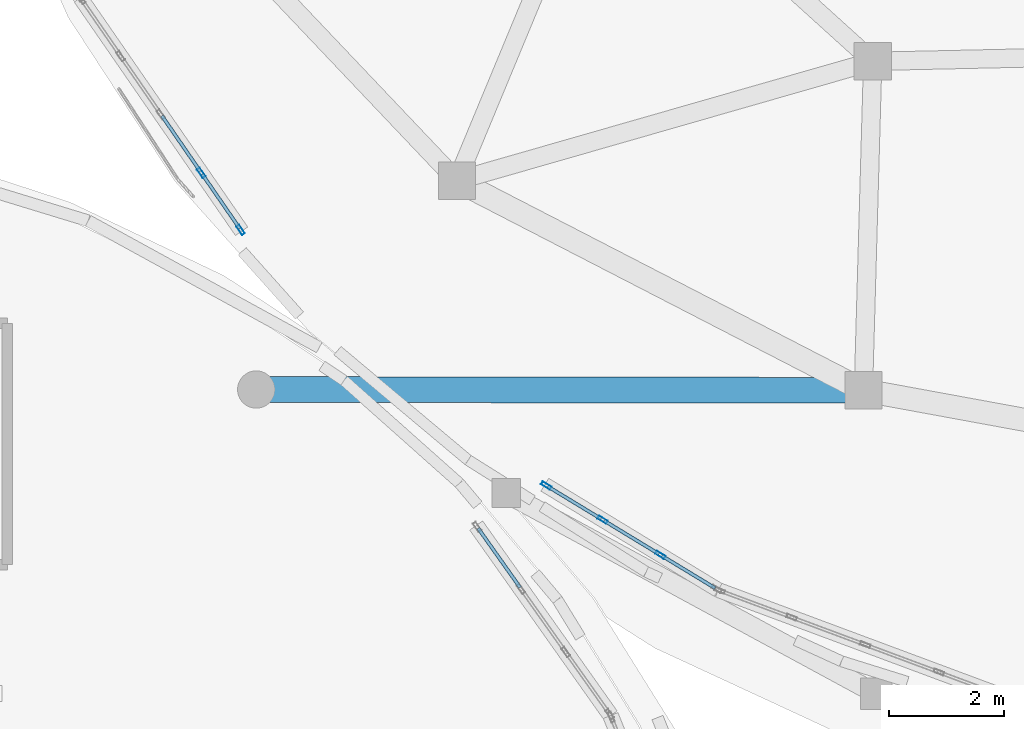
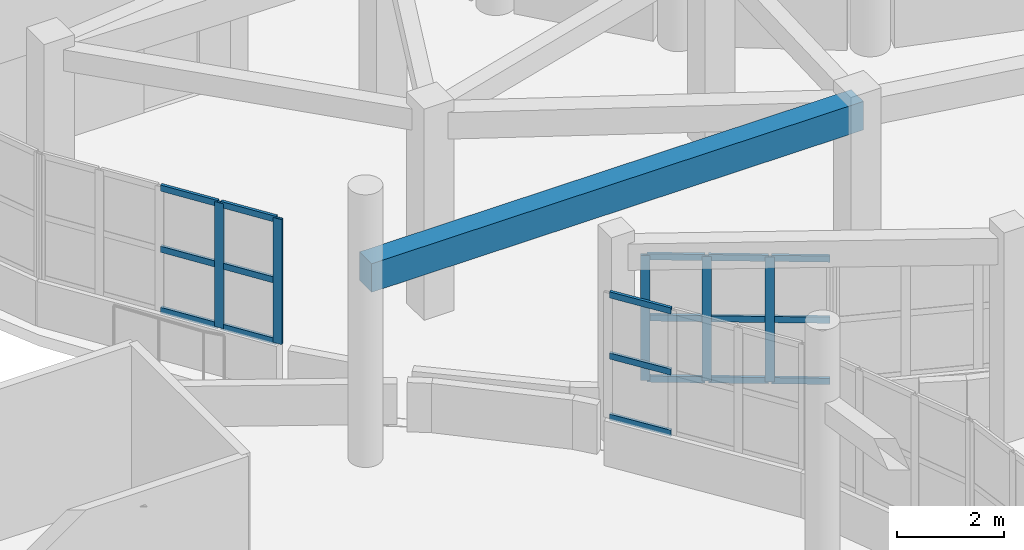
# One storey, part 45 of 105: 23 members, 1 beam, 3 elements without a shape of their own.
"""IFC4 building model written with IfcOpenShell, lengths in metres."""

from ifc_helpers import new_model, si_unit, direction, frame, origin, origin_2d, place, context, subcontext, project, spatial, rectangle, hollow_rectangle, extrude, material, layer, layer_set, material_profile, profile_set, type_object, element, aggregate, save


model = new_model("IFC4")

# Units and contexts
model_context = context("Model", 3, precision=1e-05, world=origin(), true_north=direction((0.0, 1.0)))
body_context = subcontext(model_context, "Body", "Model", "MODEL_VIEW")
ifc_project = project(units=[si_unit("LENGTHUNIT", "METRE"), si_unit("AREAUNIT", "SQUARE_METRE"), si_unit("VOLUMEUNIT", "CUBIC_METRE"), si_unit("PLANEANGLEUNIT", "RADIAN"), si_unit("MASSUNIT", "GRAM", prefix="KILO")], contexts=[model_context])

# Site, building, storey
site_placement = place(None, origin())
site = spatial("IfcSite", under=ifc_project, at=site_placement, CompositionType="ELEMENT")
building_placement = place(site_placement, origin())
building = spatial("IfcBuilding", under=site, at=building_placement, Name="Pelvatis Terrace Science Centre", CompositionType="ELEMENT")
storey_placement = place(building_placement, frame((0.0, 0.0, 10.199951171875)))
storey = spatial("IfcBuildingStorey", under=building, at=storey_placement, Name="L02", CompositionType="ELEMENT", Elevation=10.199951171875)

# Beam
ifc_material_1 = material(Name="Concrete C35/45", Category="concrete")
ifc_material_profile_1 = material_profile(ifc_material_1, rectangle(XDim=0.449951171875, YDim=0.64990234375, at=origin_2d()), Name="RC-BM 450x650")
ifc_profile_set_1 = profile_set([ifc_material_profile_1], Name="Concrete C35/45")
beam_type = type_object("IfcBeamType", Name="BM-RC-450x650", PredefinedType="BEAM", material=ifc_profile_set_1)
beam_placement = place(storey_placement, frame((89.132568359375, 67.44775390625, 4.215087890625), z_axis=(0.999999193473, -0.00127006017, 0.0), x_axis=(0.00127006017, 0.999999193473, 0.0)))
element("IfcBeam", 1, at=beam_placement, inside=storey, type_object=beam_type, Name="Beam BM-L02-2878", PredefinedType="BEAM", context=body_context, shape_type="SweptSolid", body=[
    extrude(rectangle(XDim=0.449951171875, YDim=0.64990234375, at=origin_2d()), origin(), (0.0, 0.0, 1.0), 10.572509765625),
])

# Curtain wall, members
ifc_material_2 = material(Name="Bronze-anodised aluminium and laminated glass", Category="aluminium")
ifc_layer = layer(ifc_material_2, 0.179931640625)
ifc_layer_set = layer_set([ifc_layer], Name="Bronze-anodised aluminium and laminated glass")
curtain_wall_type = type_object("IfcCurtainWallType", Name="CW-RIBBON-A", PredefinedType="NOTDEFINED", material=ifc_layer_set)
curtain_wall_1_placement = place(storey_placement, origin())
curtain_wall_1 = element("IfcCurtainWall", 2, at=curtain_wall_1_placement, inside=storey, type_object=curtain_wall_type, Name="Ribbon curtain wall CW-171 (L02)", PredefinedType="NOTDEFINED")
ifc_material_3 = material(Name="Bronze-anodised aluminium 6063-T6", Category="aluminium")
ifc_material_profile_2 = material_profile(ifc_material_3, hollow_rectangle(XDim=0.06005859375, YDim=0.179931640625, WallThickness=0.00390625, at=origin_2d()), Name="ALU-MUL 60x180")
ifc_profile_set_2 = profile_set([ifc_material_profile_2], Name="Bronze-anodised aluminium 6063-T6")
member_type_1 = type_object("IfcMemberType", Name="CWM-60x180", PredefinedType="MULLION", material=ifc_profile_set_2)
member_1_placement = place(storey_placement, frame((88.17626953125, 71.220458984375, 1.02001953125), z_axis=(0.0, 0.0, 1.0), x_axis=(0.822888336113, 0.568203120626, 0.0)))
member_1 = element("IfcMember", 3, at=member_1_placement, type_object=member_type_1, Name="CW-171 mullion 4", PredefinedType="MULLION", context=body_context, shape_type="SweptSolid", body=[
    extrude(hollow_rectangle(XDim=0.06005859375, YDim=0.179931640625, WallThickness=0.00390625, at=origin_2d()), origin(), (0.0, 0.0, 1.0), 2.840087890625),
])
member_2_placement = place(storey_placement, frame((88.86083984375, 70.22900390625, 1.02001953125), z_axis=(0.0, 0.0, 1.0), x_axis=(0.822888336113, 0.568203120626, 0.0)))
member_2 = element("IfcMember", 4, at=member_2_placement, type_object=member_type_1, Name="CW-171 mullion 5", PredefinedType="MULLION", context=body_context, shape_type="SweptSolid", body=[
    extrude(hollow_rectangle(XDim=0.06005859375, YDim=0.179931640625, WallThickness=0.00390625, at=origin_2d()), origin(), (0.0, 0.0, 1.0), 2.840087890625),
])

curtain_wall_2_placement = place(storey_placement, origin())
curtain_wall_2 = element("IfcCurtainWall", 5, at=curtain_wall_2_placement, inside=storey, type_object=curtain_wall_type, Name="Ribbon curtain wall CW-172 (L02)", PredefinedType="NOTDEFINED")
member_3_placement = place(storey_placement, frame((94.18359375, 65.77490234375, 1.02001953125), z_axis=(0.0, 0.0, 1.0), x_axis=(0.519182878517, 0.854663172633, 0.0)))
member_3 = element("IfcMember", 6, at=member_3_placement, type_object=member_type_1, Name="CW-172 mullion 1", PredefinedType="MULLION", context=body_context, shape_type="SweptSolid", body=[
    extrude(hollow_rectangle(XDim=0.06005859375, YDim=0.179931640625, WallThickness=0.00390625, at=origin_2d()), origin(), (0.0, 0.0, 1.0), 2.840087890625),
])
member_4_placement = place(storey_placement, frame((95.16357421875, 65.1796875, 1.02001953125), z_axis=(0.0, 0.0, 1.0), x_axis=(0.519182878517, 0.854663172633, 0.0)))
member_4 = element("IfcMember", 7, at=member_4_placement, type_object=member_type_1, Name="CW-172 mullion 2", PredefinedType="MULLION", context=body_context, shape_type="SweptSolid", body=[
    extrude(hollow_rectangle(XDim=0.06005859375, YDim=0.179931640625, WallThickness=0.00390625, at=origin_2d()), origin(), (0.0, 0.0, 1.0), 2.840087890625),
])
member_5_placement = place(storey_placement, frame((96.169189453125, 64.568603515625, 1.02001953125), z_axis=(0.0, 0.0, 1.0), x_axis=(0.519182878517, 0.854663172633, 0.0)))
member_5 = element("IfcMember", 8, at=member_5_placement, type_object=member_type_1, Name="CW-172 mullion 3", PredefinedType="MULLION", context=body_context, shape_type="SweptSolid", body=[
    extrude(hollow_rectangle(XDim=0.06005859375, YDim=0.179931640625, WallThickness=0.00390625, at=origin_2d()), origin(), (0.0, 0.0, 1.0), 2.840087890625),
])

curtain_wall_3_placement = place(storey_placement, origin())
curtain_wall_3 = element("IfcCurtainWall", 9, at=curtain_wall_3_placement, inside=storey, type_object=curtain_wall_type, Name="Ribbon curtain wall CW-079 (L02)", PredefinedType="NOTDEFINED")
ifc_material_4 = material(Name="Bronze-anodised aluminium 6063-T6", Category="aluminium")
ifc_material_profile_3 = material_profile(ifc_material_4, hollow_rectangle(XDim=0.06005859375, YDim=0.139892578125, WallThickness=0.00390625, at=origin_2d()), Name="ALU-TRN 60x140")
ifc_profile_set_3 = profile_set([ifc_material_profile_3], Name="Bronze-anodised aluminium 6063-T6")
member_type_2 = type_object("IfcMemberType", Name="CWT-60x140", PredefinedType="USERDEFINED", material=ifc_profile_set_3)
member_6_placement = place(storey_placement, frame((93.72607421875, 64.00146484375, 1.050048828125), z_axis=(-0.577625202532, 0.816302104248, 0.0), x_axis=(-0.816302104248, -0.577625202532, 0.0)))
member_6 = element("IfcMember", 10, at=member_6_placement, type_object=member_type_2, Name="CW-079 transom 3.1", ObjectType="TRANSOM", PredefinedType="USERDEFINED", context=body_context, shape_type="SweptSolid", body=[
    extrude(hollow_rectangle(XDim=0.06005859375, YDim=0.139892578125, WallThickness=0.00390625, at=origin_2d()), origin(), (0.0, 0.0, 1.0), 1.26123046875),
])
member_7_placement = place(storey_placement, frame((93.72607421875, 64.00146484375, 2.43994140625), z_axis=(-0.577625202532, 0.816302104248, 0.0), x_axis=(-0.816302104248, -0.577625202532, 0.0)))
member_7 = element("IfcMember", 11, at=member_7_placement, type_object=member_type_2, Name="CW-079 transom 3.2", ObjectType="TRANSOM", PredefinedType="USERDEFINED", context=body_context, shape_type="SweptSolid", body=[
    extrude(hollow_rectangle(XDim=0.06005859375, YDim=0.139892578125, WallThickness=0.00390625, at=origin_2d()), origin(), (0.0, 0.0, 1.0), 1.26123046875),
])
member_8_placement = place(storey_placement, frame((93.72607421875, 64.00146484375, 3.830078125), z_axis=(-0.577625202532, 0.816302104248, 0.0), x_axis=(-0.816302104248, -0.577625202532, 0.0)))
member_8 = element("IfcMember", 12, at=member_8_placement, type_object=member_type_2, Name="CW-079 transom 3.3", ObjectType="TRANSOM", PredefinedType="USERDEFINED", context=body_context, shape_type="SweptSolid", body=[
    extrude(hollow_rectangle(XDim=0.06005859375, YDim=0.139892578125, WallThickness=0.00390625, at=origin_2d()), origin(), (0.0, 0.0, 1.0), 1.26123046875),
])
aggregate(curtain_wall_3, [member_6, member_7, member_8])

# Member
member_9_placement = place(storey_placement, frame((87.49169921875, 72.2119140625, 1.050048828125), z_axis=(0.568150510698, -0.822924660703, 0.0), x_axis=(0.822924660703, 0.568150510698, 0.0)))
member_9 = element("IfcMember", 13, at=member_9_placement, type_object=member_type_2, Name="CW-171 transom 3.1", ObjectType="TRANSOM", PredefinedType="USERDEFINED", context=body_context, shape_type="SweptSolid", body=[
    extrude(hollow_rectangle(XDim=0.06005859375, YDim=0.139892578125, WallThickness=0.00390625, at=origin_2d()), origin(), (0.0, 0.0, 1.0), 1.1748046875),
])

member_10_placement = place(storey_placement, frame((87.49169921875, 72.2119140625, 2.43994140625), z_axis=(0.568150510698, -0.822924660703, 0.0), x_axis=(0.822924660703, 0.568150510698, 0.0)))
member_10 = element("IfcMember", 14, at=member_10_placement, type_object=member_type_2, Name="CW-171 transom 3.2", ObjectType="TRANSOM", PredefinedType="USERDEFINED", context=body_context, shape_type="SweptSolid", body=[
    extrude(hollow_rectangle(XDim=0.06005859375, YDim=0.139892578125, WallThickness=0.00390625, at=origin_2d()), origin(), (0.0, 0.0, 1.0), 1.1748046875),
])

member_11_placement = place(storey_placement, frame((87.49169921875, 72.2119140625, 3.830078125), z_axis=(0.568150510698, -0.822924660703, 0.0), x_axis=(0.822924660703, 0.568150510698, 0.0)))
member_11 = element("IfcMember", 15, at=member_11_placement, type_object=member_type_2, Name="CW-171 transom 3.3", ObjectType="TRANSOM", PredefinedType="USERDEFINED", context=body_context, shape_type="SweptSolid", body=[
    extrude(hollow_rectangle(XDim=0.06005859375, YDim=0.139892578125, WallThickness=0.00390625, at=origin_2d()), origin(), (0.0, 0.0, 1.0), 1.1748046875),
])

member_12_placement = place(storey_placement, frame((88.193359375, 71.195556640625, 1.050048828125), z_axis=(0.568211350195, -0.822882653548, 0.0), x_axis=(0.822882653548, 0.568211350195, 0.0)))
member_12 = element("IfcMember", 16, at=member_12_placement, type_object=member_type_2, Name="CW-171 transom 4.1", ObjectType="TRANSOM", PredefinedType="USERDEFINED", context=body_context, shape_type="SweptSolid", body=[
    extrude(hollow_rectangle(XDim=0.06005859375, YDim=0.139892578125, WallThickness=0.00390625, at=origin_2d()), origin(), (0.0, 0.0, 1.0), 1.14453125),
])

member_13_placement = place(storey_placement, frame((88.193359375, 71.195556640625, 2.43994140625), z_axis=(0.568211350195, -0.822882653548, 0.0), x_axis=(0.822882653548, 0.568211350195, 0.0)))
member_13 = element("IfcMember", 17, at=member_13_placement, type_object=member_type_2, Name="CW-171 transom 4.2", ObjectType="TRANSOM", PredefinedType="USERDEFINED", context=body_context, shape_type="SweptSolid", body=[
    extrude(hollow_rectangle(XDim=0.06005859375, YDim=0.139892578125, WallThickness=0.00390625, at=origin_2d()), origin(), (0.0, 0.0, 1.0), 1.14453125),
])

member_14_placement = place(storey_placement, frame((88.193359375, 71.195556640625, 3.830078125), z_axis=(0.568211350195, -0.822882653548, 0.0), x_axis=(0.822882653548, 0.568211350195, 0.0)))
member_14 = element("IfcMember", 18, at=member_14_placement, type_object=member_type_2, Name="CW-171 transom 4.3", ObjectType="TRANSOM", PredefinedType="USERDEFINED", context=body_context, shape_type="SweptSolid", body=[
    extrude(hollow_rectangle(XDim=0.06005859375, YDim=0.139892578125, WallThickness=0.00390625, at=origin_2d()), origin(), (0.0, 0.0, 1.0), 1.14453125),
])

aggregate(curtain_wall_1, [member_1, member_2, member_9, member_10, member_11, member_12, member_13, member_14])

member_15_placement = place(storey_placement, frame((94.209228515625, 65.75927734375, 1.050048828125), z_axis=(0.854645101249, -0.519212625917, 0.0), x_axis=(0.519212625917, 0.854645101249, 0.0)))
member_15 = element("IfcMember", 19, at=member_15_placement, type_object=member_type_2, Name="CW-172 transom 1.1", ObjectType="TRANSOM", PredefinedType="USERDEFINED", context=body_context, shape_type="SweptSolid", body=[
    extrude(hollow_rectangle(XDim=0.06005859375, YDim=0.139892578125, WallThickness=0.00390625, at=origin_2d()), origin(), (0.0, 0.0, 1.0), 1.086669921875),
])

member_16_placement = place(storey_placement, frame((94.209228515625, 65.75927734375, 2.43994140625), z_axis=(0.854645101249, -0.519212625917, 0.0), x_axis=(0.519212625917, 0.854645101249, 0.0)))
member_16 = element("IfcMember", 20, at=member_16_placement, type_object=member_type_2, Name="CW-172 transom 1.2", ObjectType="TRANSOM", PredefinedType="USERDEFINED", context=body_context, shape_type="SweptSolid", body=[
    extrude(hollow_rectangle(XDim=0.06005859375, YDim=0.139892578125, WallThickness=0.00390625, at=origin_2d()), origin(), (0.0, 0.0, 1.0), 1.086669921875),
])

member_17_placement = place(storey_placement, frame((94.209228515625, 65.75927734375, 3.830078125), z_axis=(0.854645101249, -0.519212625917, 0.0), x_axis=(0.519212625917, 0.854645101249, 0.0)))
member_17 = element("IfcMember", 21, at=member_17_placement, type_object=member_type_2, Name="CW-172 transom 1.3", ObjectType="TRANSOM", PredefinedType="USERDEFINED", context=body_context, shape_type="SweptSolid", body=[
    extrude(hollow_rectangle(XDim=0.06005859375, YDim=0.139892578125, WallThickness=0.00390625, at=origin_2d()), origin(), (0.0, 0.0, 1.0), 1.086669921875),
])

member_18_placement = place(storey_placement, frame((95.189208984375, 65.1640625, 1.050048828125), z_axis=(0.85462467226, -0.519246251373, 0.0), x_axis=(0.519246251373, 0.85462467226, 0.0)))
member_18 = element("IfcMember", 22, at=member_18_placement, type_object=member_type_2, Name="CW-172 transom 2.1", ObjectType="TRANSOM", PredefinedType="USERDEFINED", context=body_context, shape_type="SweptSolid", body=[
    extrude(hollow_rectangle(XDim=0.06005859375, YDim=0.139892578125, WallThickness=0.00390625, at=origin_2d()), origin(), (0.0, 0.0, 1.0), 1.11669921875),
])

member_19_placement = place(storey_placement, frame((95.189208984375, 65.1640625, 2.43994140625), z_axis=(0.85462467226, -0.519246251373, 0.0), x_axis=(0.519246251373, 0.85462467226, 0.0)))
member_19 = element("IfcMember", 23, at=member_19_placement, type_object=member_type_2, Name="CW-172 transom 2.2", ObjectType="TRANSOM", PredefinedType="USERDEFINED", context=body_context, shape_type="SweptSolid", body=[
    extrude(hollow_rectangle(XDim=0.06005859375, YDim=0.139892578125, WallThickness=0.00390625, at=origin_2d()), origin(), (0.0, 0.0, 1.0), 1.11669921875),
])

member_20_placement = place(storey_placement, frame((95.189208984375, 65.1640625, 3.830078125), z_axis=(0.85462467226, -0.519246251373, 0.0), x_axis=(0.519246251373, 0.85462467226, 0.0)))
member_20 = element("IfcMember", 24, at=member_20_placement, type_object=member_type_2, Name="CW-172 transom 2.3", ObjectType="TRANSOM", PredefinedType="USERDEFINED", context=body_context, shape_type="SweptSolid", body=[
    extrude(hollow_rectangle(XDim=0.06005859375, YDim=0.139892578125, WallThickness=0.00390625, at=origin_2d()), origin(), (0.0, 0.0, 1.0), 1.11669921875),
])

member_21_placement = place(storey_placement, frame((96.19482421875, 64.552978515625, 1.050048828125), z_axis=(0.85470565077, -0.519112945842, 0.0), x_axis=(0.519112945842, 0.85470565077, 0.0)))
member_21 = element("IfcMember", 25, at=member_21_placement, type_object=member_type_2, Name="CW-172 transom 3.1", ObjectType="TRANSOM", PredefinedType="USERDEFINED", context=body_context, shape_type="SweptSolid", body=[
    extrude(hollow_rectangle(XDim=0.06005859375, YDim=0.139892578125, WallThickness=0.00390625, at=origin_2d()), origin(), (0.0, 0.0, 1.0), 1.0869140625),
])

member_22_placement = place(storey_placement, frame((96.19482421875, 64.552978515625, 2.43994140625), z_axis=(0.85470565077, -0.519112945842, 0.0), x_axis=(0.519112945842, 0.85470565077, 0.0)))
member_22 = element("IfcMember", 26, at=member_22_placement, type_object=member_type_2, Name="CW-172 transom 3.2", ObjectType="TRANSOM", PredefinedType="USERDEFINED", context=body_context, shape_type="SweptSolid", body=[
    extrude(hollow_rectangle(XDim=0.06005859375, YDim=0.139892578125, WallThickness=0.00390625, at=origin_2d()), origin(), (0.0, 0.0, 1.0), 1.0869140625),
])

member_23_placement = place(storey_placement, frame((96.19482421875, 64.552978515625, 3.830078125), z_axis=(0.85470565077, -0.519112945842, 0.0), x_axis=(0.519112945842, 0.85470565077, 0.0)))
member_23 = element("IfcMember", 27, at=member_23_placement, type_object=member_type_2, Name="CW-172 transom 3.3", ObjectType="TRANSOM", PredefinedType="USERDEFINED", context=body_context, shape_type="SweptSolid", body=[
    extrude(hollow_rectangle(XDim=0.06005859375, YDim=0.139892578125, WallThickness=0.00390625, at=origin_2d()), origin(), (0.0, 0.0, 1.0), 1.0869140625),
])

aggregate(curtain_wall_2, [member_3, member_4, member_5, member_15, member_16, member_17, member_18, member_19, member_20, member_21, member_22, member_23])

save(model, "model.ifc")
